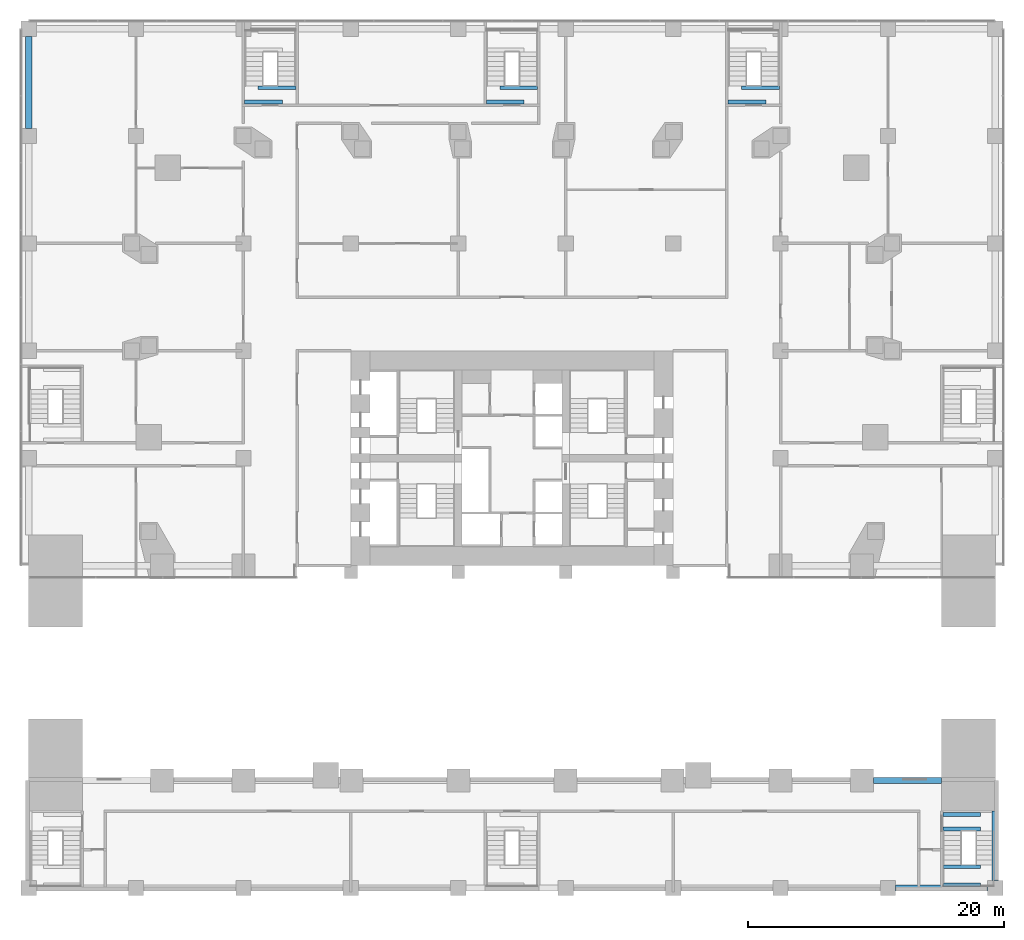
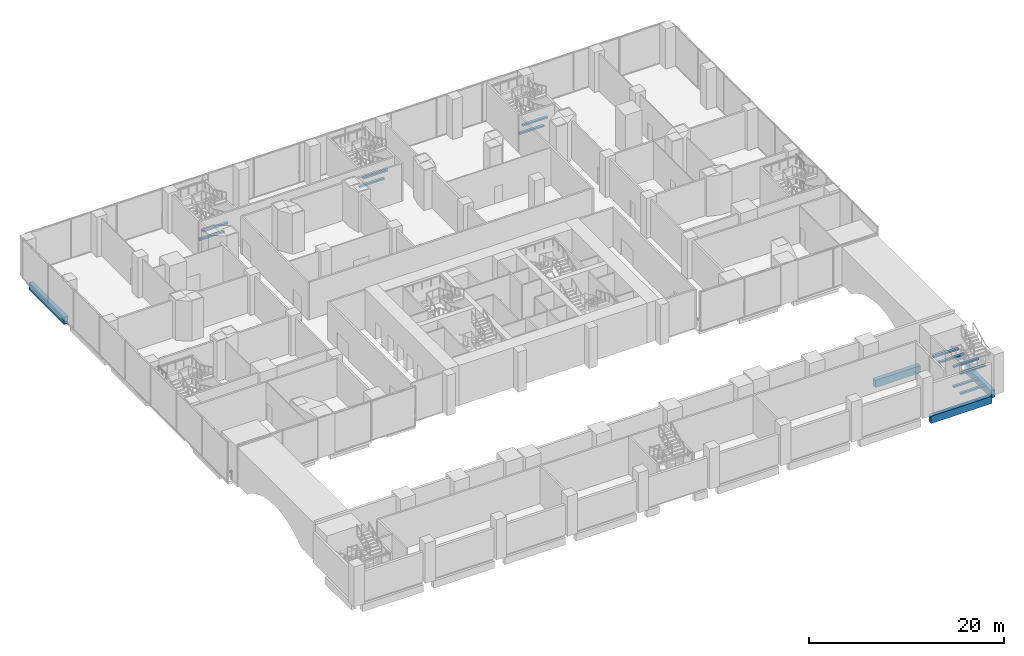
# One storey, part 7 of 28: 16 beams.
"""IFC4 building model written with IfcOpenShell, lengths in metres."""

from ifc_helpers import new_model, si_unit, direction, frame, origin, origin_2d, place, context, subcontext, project, spatial, rectangle, extrude, material, material_profile, profile_set, type_object, element, save


model = new_model("IFC4")

# Units and contexts
model_context = context("Model", 3, precision=1e-05, world=origin(), true_north=direction((0.0, 1.0)))
body_context = subcontext(model_context, "Body", "Model", "MODEL_VIEW")
ifc_project = project(units=[si_unit("LENGTHUNIT", "METRE"), si_unit("AREAUNIT", "SQUARE_METRE"), si_unit("VOLUMEUNIT", "CUBIC_METRE"), si_unit("PLANEANGLEUNIT", "RADIAN"), si_unit("MASSUNIT", "GRAM", prefix="KILO")], contexts=[model_context])

# Site, building, storey
site_placement = place(None, origin())
site = spatial("IfcSite", under=ifc_project, at=site_placement, CompositionType="ELEMENT")
building_placement = place(site_placement, origin())
building = spatial("IfcBuilding", under=site, at=building_placement, Name="Marenta Gate Hotel Tower", CompositionType="ELEMENT")
storey_placement = place(building_placement, frame((0.0, 0.0, 26.0)))
storey = spatial("IfcBuildingStorey", under=building, at=storey_placement, Name="L04", CompositionType="ELEMENT", Elevation=26.0)

# Beams
ifc_material_1 = material(Name="Concrete C60", Category="concrete")
ifc_material_profile_1 = material_profile(ifc_material_1, rectangle(XDim=0.5, YDim=0.89990234375, at=origin_2d()), Name="500 x 900")
ifc_profile_set_1 = profile_set([ifc_material_profile_1], Name="Concrete C60")
beam_type_1 = type_object("IfcBeamType", Name="Podium edge beam 500 x 900 C60", PredefinedType="BEAM", material=ifc_profile_set_1)
beam_1_placement = place(storey_placement, frame((30.0, -25.199951171875, -0.77001953125), z_axis=(1.0, 0.0, 0.0), x_axis=(0.0, 1.0, 0.0)))
element("IfcBeam", 1, at=beam_1_placement, inside=storey, type_object=beam_type_1, Name="L04-PBM-139", PredefinedType="BEAM", context=body_context, shape_type="SweptSolid", body=[
    extrude(rectangle(XDim=0.5, YDim=0.89990234375, at=origin_2d()), origin(), (0.0, 0.0, 1.0), 7.199951171875),
])
beam_2_placement = place(storey_placement, frame((37.800048828125, -24.60009765625, -0.77001953125), z_axis=(0.0, 1.0, 0.0), x_axis=(-1.0, 0.0, 0.0)))
element("IfcBeam", 2, at=beam_2_placement, inside=storey, type_object=beam_type_1, Name="L04-PBM-140", PredefinedType="BEAM", context=body_context, shape_type="SweptSolid", body=[
    extrude(rectangle(XDim=0.5, YDim=0.89990234375, at=origin_2d()), origin(), (0.0, 0.0, 1.0), 5.400146484375),
])
beam_3_placement = place(storey_placement, frame((33.60009765625, -16.800048828125, -0.77001953125), z_axis=(-1.0, 0.0, 0.0), x_axis=(0.0, -1.0, 0.0)))
element("IfcBeam", 3, at=beam_3_placement, inside=storey, type_object=beam_type_1, Name="L04-PBM-141", PredefinedType="BEAM", context=body_context, shape_type="SweptSolid", body=[
    extrude(rectangle(XDim=0.5, YDim=0.89990234375, at=origin_2d()), origin(), (0.0, 0.0, 1.0), 5.337158203125),
])
beam_4_placement = place(storey_placement, frame((-37.800048828125, 41.39990234375, -0.77001953125), z_axis=(0.0, -1.0, 0.0), x_axis=(1.0, 0.0, 0.0)))
element("IfcBeam", 4, at=beam_4_placement, inside=storey, type_object=beam_type_1, Name="L04-PBM-171", PredefinedType="BEAM", context=body_context, shape_type="SweptSolid", body=[
    extrude(rectangle(XDim=0.5, YDim=0.89990234375, at=origin_2d()), origin(), (0.0, 0.0, 1.0), 7.199951171875),
])
ifc_material_2 = material(Name="Concrete C40", Category="concrete")
ifc_material_profile_2 = material_profile(ifc_material_2, rectangle(XDim=0.300048828125, YDim=0.199951171875, at=origin_2d()), Name="300 x 200")
ifc_profile_set_2 = profile_set([ifc_material_profile_2], Name="Concrete C40")
beam_type_2 = type_object("IfcBeamType", Name="Stair landing trimmer 300 x 200 C40", PredefinedType="BEAM", material=ifc_profile_set_2)
for number, where, z_axis, x_axis, name in (
    (5, (33.699951171875, -24.949951171875, 0.949951171875), (1.0, 0.0, 0.0), (0.0, 1.0, 0.0), "L04-PX2-LT-1"),
    (6, (33.699951171875, -23.5400390625, 0.949951171875), (1.0, 0.0, 0.0), (0.0, 1.0, 0.0), "L04-PX2-LT-2"),
    (7, (33.699951171875, -20.580078125, 2.199951171875), (1.0, 0.0, 0.0), (0.0, 1.0, 0.0), "L04-PX2-LT-3"),
    (8, (33.699951171875, -19.449951171875, 2.199951171875), (1.0, 0.0, 0.0), (0.0, 1.0, 0.0), "L04-PX2-LT-4"),
    (9, (33.699951171875, -24.949951171875, 3.449951171875), (1.0, 0.0, 0.0), (0.0, 1.0, 0.0), "L04-PX2-LT-5"),
    (10, (33.699951171875, -23.5400390625, 3.449951171875), (1.0, 0.0, 0.0), (0.0, 1.0, 0.0), "L04-PX2-LT-6"),
    (11, (-20.89990234375, 36.25, 2.199951171875), (1.0, 0.0, 0.0), (0.0, 1.0, 0.0), "L04-PX3-LT-3"),
):
    element("IfcBeam", number, at=place(storey_placement, frame(where, z_axis=z_axis, x_axis=x_axis)), inside=storey, type_object=beam_type_2, Name=name, PredefinedType="BEAM", context=body_context, shape_type="SweptSolid", body=[
        extrude(rectangle(XDim=0.300048828125, YDim=0.199951171875, at=origin_2d()), origin(), (0.0, 0.0, 1.0), 2.949951171875),
    ])
for number, where, z_axis, x_axis, name in (
    (12, (-19.85009765625, 37.3798828125, 2.199951171875), (1.0, 0.0, 0.0), (0.0, 1.0, 0.0), "L04-PX3-LT-4"),
    (13, (16.89990234375, 36.25, 2.199951171875), (1.0, 0.0, 0.0), (0.0, 1.0, 0.0), "L04-PX4-LT-3"),
):
    element("IfcBeam", number, at=place(storey_placement, frame(where, z_axis=z_axis, x_axis=x_axis)), inside=storey, type_object=beam_type_2, Name=name, PredefinedType="BEAM", context=body_context, shape_type="SweptSolid", body=[
        extrude(rectangle(XDim=0.300048828125, YDim=0.199951171875, at=origin_2d()), origin(), (0.0, 0.0, 1.0), 2.9501953125),
    ])
for number, where, z_axis, x_axis, name in (
    (14, (17.949951171875, 37.3798828125, 2.199951171875), (1.0, 0.0, 0.0), (0.0, 1.0, 0.0), "L04-PX4-LT-4"),
    (15, (-2.0, 36.25, 2.199951171875), (1.0, 0.0, 0.0), (0.0, 1.0, 0.0), "L04-PX8-LT-3"),
    (16, (-0.949951171875, 37.3798828125, 2.199951171875), (1.0, 0.0, 0.0), (0.0, 1.0, 0.0), "L04-PX8-LT-4"),
):
    element("IfcBeam", number, at=place(storey_placement, frame(where, z_axis=z_axis, x_axis=x_axis)), inside=storey, type_object=beam_type_2, Name=name, PredefinedType="BEAM", context=body_context, shape_type="SweptSolid", body=[
        extrude(rectangle(XDim=0.300048828125, YDim=0.199951171875, at=origin_2d()), origin(), (0.0, 0.0, 1.0), 2.949951171875),
    ])

save(model, "model.ifc")
